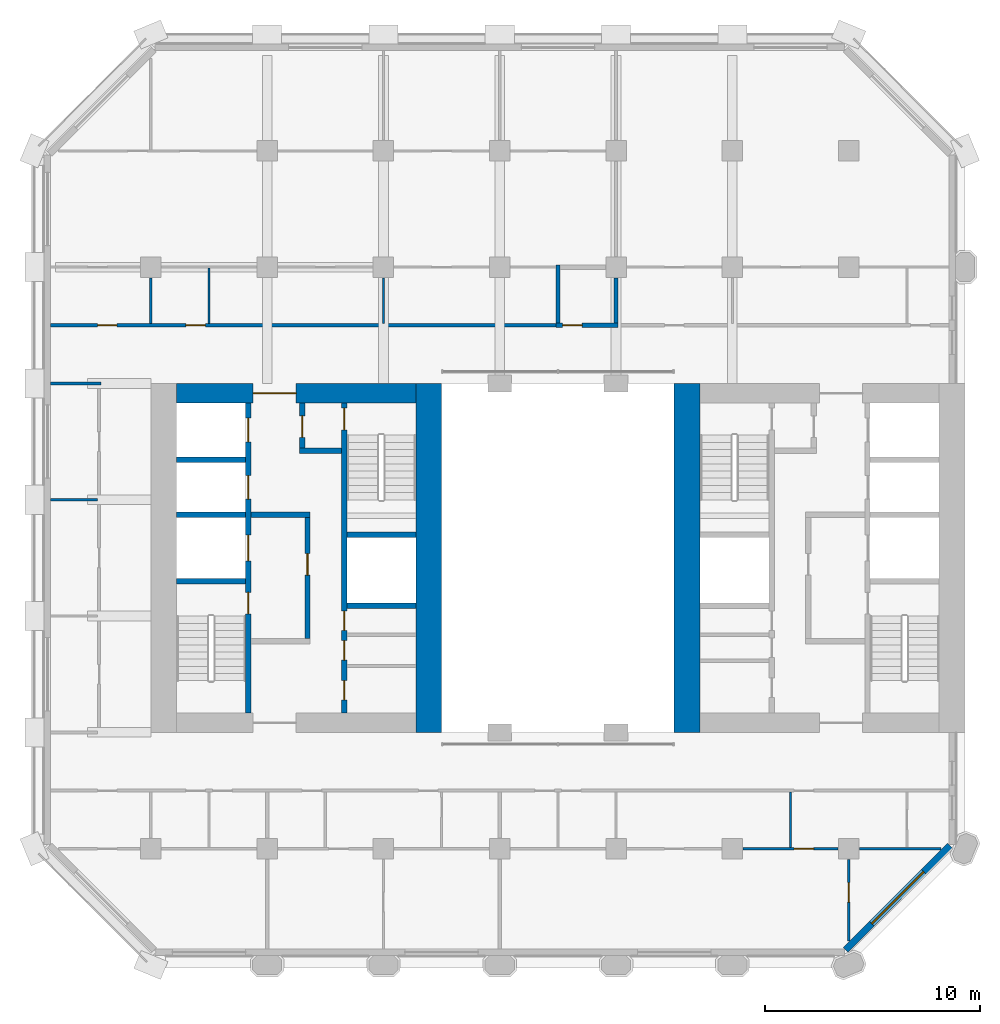
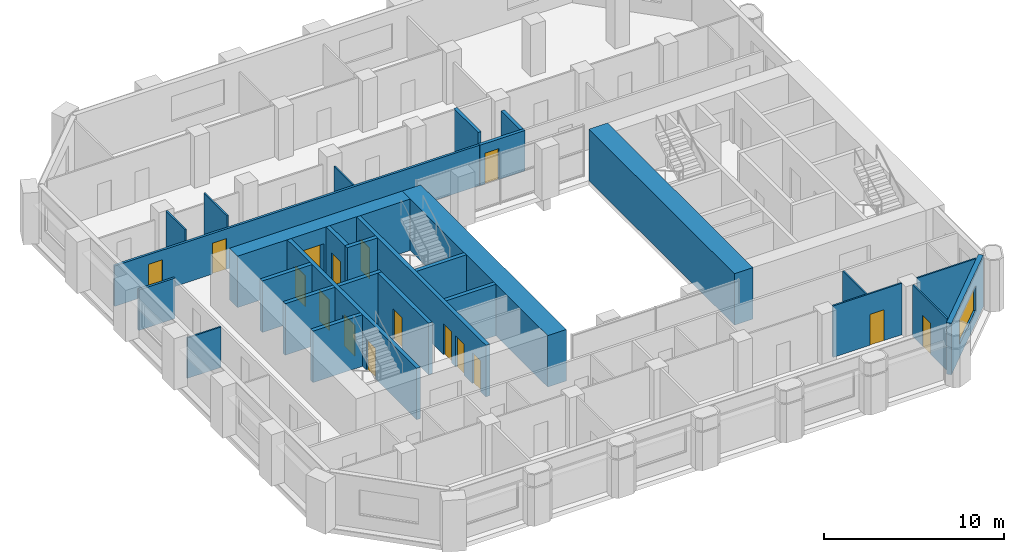
# One storey, part 7 of 13: 28 walls, 16 doors, 1 window, 17 openings.
"""IFC4 building model written with IfcOpenShell, lengths in metres."""

from ifc_helpers import new_model, si_unit, direction, frame, frame_2d, origin, place, context, subcontext, project, spatial, rectangle, extrude, material, layer, layer_set, type_object, element, fill, save


model = new_model("IFC4")

# Units and contexts
model_context = context("Model", 3, precision=1e-05, world=origin(), true_north=direction((0.0, 1.0)))
body_context = subcontext(model_context, "Body", "Model", "MODEL_VIEW")
ifc_project = project(units=[si_unit("LENGTHUNIT", "METRE"), si_unit("AREAUNIT", "SQUARE_METRE"), si_unit("VOLUMEUNIT", "CUBIC_METRE"), si_unit("PLANEANGLEUNIT", "RADIAN"), si_unit("MASSUNIT", "GRAM", prefix="KILO")], contexts=[model_context])

# Site, building, storey
site_placement = place(None, origin())
site = spatial("IfcSite", under=ifc_project, at=site_placement, CompositionType="ELEMENT")
building_placement = place(site_placement, origin())
building = spatial("IfcBuilding", under=site, at=building_placement, Name="Tabaq Tower and Sports Hall", CompositionType="ELEMENT")
storey_placement = place(building_placement, frame((0.0, 0.0, 110.60009765625)))
storey = spatial("IfcBuildingStorey", under=building, at=storey_placement, Name="L26", CompositionType="ELEMENT", Elevation=110.60009765625)

# Walls
ifc_material_1 = material(Name="Concrete C60/75", Category="concrete")
ifc_layer_1 = layer(ifc_material_1, 1.199951171875)
ifc_layer_set_1 = layer_set([ifc_layer_1], Name="Core wall 1200 Concrete C60/75")
wall_type_1 = type_object("IfcWallType", Name="Core wall 1200 Concrete C60/75", PredefinedType="SOLIDWALL", material=ifc_layer_set_1)
for number, where, z_axis, x_axis, name in (
    (1, (18.300048828125, 32.39990234375, 0.0), (0.0, 0.0, 1.0), (0.0, -1.0, 0.0), "Core wall W L26"),
    (2, (30.300048828125, 16.199951171875, 0.0), (0.0, 0.0, 1.0), (0.0, 1.0, 0.0), "Core wall E L26"),
):
    element("IfcWall", number, at=place(storey_placement, frame(where, z_axis=z_axis, x_axis=x_axis)), inside=storey, type_object=wall_type_1, Name=name, PredefinedType="SOLIDWALL", context=body_context, shape_type="SweptSolid", body=[
        extrude(rectangle(XDim=16.199951171875, YDim=1.199951171875, at=frame_2d((8.10009765625, 0.0))), origin(), (0.0, 0.0, 1.0), 3.5),
    ])

# Wall, opening, door
ifc_material_2 = material(Name="Concrete C60/75", Category="concrete")
ifc_layer_2 = layer(ifc_material_2, 0.89990234375)
ifc_layer_set_2 = layer_set([ifc_layer_2], Name="Core wall 900 Concrete C60/75")
wall_type_2 = type_object("IfcWallType", Name="Core wall 900 Concrete C60/75", PredefinedType="SOLIDWALL", material=ifc_layer_set_2)
wall_1_placement = place(storey_placement, frame((6.60009765625, 31.949951171875, 0.0), z_axis=(0.0, 0.0, 1.0), x_axis=(1.0, 0.0, 0.0)))
wall_1 = element("IfcWall", 3, at=wall_1_placement, inside=storey, type_object=wall_type_2, Name="Core wall W L26", PredefinedType="SOLIDWALL", context=body_context, shape_type="SweptSolid", body=[
    extrude(rectangle(XDim=11.099853515625, YDim=0.89990234375, at=frame_2d((5.5498046875, 0.0))), origin(), (0.0, 0.0, 1.0), 3.5),
])
opening_1_placement = place(wall_1_placement, frame((3.550048828125, 0.0, 0.0)))
opening_1 = element("IfcOpeningElement", 4, at=opening_1_placement, cuts=wall_1, Name="Opening PD-WL26-02", PredefinedType="OPENING", context=body_context, shape_type="SweptSolid", body=[
    extrude(rectangle(XDim=2.0, YDim=2.39990234375, at=frame_2d((1.0, 1.199951171875))), frame((0.0, 0.449951171875, 0.0), z_axis=(0.0, -1.0, 0.0), x_axis=(1.0, 0.0, 0.0)), (0.0, 0.0, 1.0), 0.89990234375),
])
ifc_material_3 = material(Name="Steel fire door", Category="steel")
door_type_1 = type_object("IfcDoorType", Name="Core entrance door 2000", OperationType="DOUBLE_DOOR_SINGLE_SWING", PredefinedType="DOOR", material=ifc_material_3)
door_1_placement = place(opening_1_placement, origin())
door_1 = element("IfcDoor", 5, at=door_1_placement, inside=storey, type_object=door_type_1, Name="Core entrance north W L26", OperationType="DOUBLE_DOOR_SINGLE_SWING", OverallHeight=2.39990234375, OverallWidth=2.0, PredefinedType="DOOR", context=body_context, shape_type="SweptSolid", body=[
    extrude(rectangle(XDim=2.0, YDim=2.39990234375, at=frame_2d((1.0, 1.199951171875))), frame((0.0, 0.02490234375, 0.0), z_axis=(0.0, -1.0, 0.0), x_axis=(1.0, 0.0, 0.0)), (0.0, 0.0, 1.0), 0.050048828125),
])
fill(opening_1, door_1)

ifc_material_4 = material(Name="Blockwork", Category="masonry")
ifc_layer_3 = layer(ifc_material_4, 0.199951171875)
ifc_layer_set_3 = layer_set([ifc_layer_3], Name="Fire compartment wall 200 Blockwork")
wall_type_3 = type_object("IfcWallType", Name="Fire compartment wall 200 Blockwork", PredefinedType="PARTITIONING", material=ifc_layer_set_3)
wall_2_placement = place(storey_placement, frame((27.10009765625, 35.10009765625, 0.0), z_axis=(0.0, 0.0, 1.0), x_axis=(-1.0, 0.0, 0.0)))
wall_2 = element("IfcWall", 6, at=wall_2_placement, inside=storey, type_object=wall_type_3, Name="Compartment wall L26", PredefinedType="PARTITIONING", context=body_context, shape_type="SweptSolid", body=[
    extrude(rectangle(XDim=2.900146484375, YDim=0.199951171875, at=frame_2d((1.4501953125, 0.0))), origin(), (0.0, 0.0, 1.0), 2.75),
])
opening_2_placement = place(wall_2_placement, frame((1.679931640625, 0.0, 0.0)))
opening_2 = element("IfcOpeningElement", 7, at=opening_2_placement, cuts=wall_2, Name="Opening L26-002", PredefinedType="OPENING", context=body_context, shape_type="SweptSolid", body=[
    extrude(rectangle(XDim=0.89990234375, YDim=2.10009765625, at=frame_2d((0.449951171875, 1.050048828125))), frame((0.0, 0.10009765625, 0.0), z_axis=(0.0, -1.0, 0.0), x_axis=(1.0, 0.0, 0.0)), (0.0, 0.0, 1.0), 0.199951171875),
])
ifc_material_5 = material(Name="Steel fire door", Category="steel")
door_type_2 = type_object("IfcDoorType", Name="Plant room door 900 right hand", OperationType="SINGLE_SWING_RIGHT", PredefinedType="DOOR", material=ifc_material_5)
door_2_placement = place(opening_2_placement, origin())
door_2 = element("IfcDoor", 8, at=door_2_placement, inside=storey, type_object=door_type_2, Name="Plant room door L26-002", OperationType="SINGLE_SWING_RIGHT", OverallHeight=2.10009765625, OverallWidth=0.89990234375, PredefinedType="DOOR", context=body_context, shape_type="SweptSolid", body=[
    extrude(rectangle(XDim=0.89990234375, YDim=2.10009765625, at=frame_2d((0.449951171875, 1.050048828125))), frame((0.0, 0.02490234375, 0.0), z_axis=(0.0, -1.0, 0.0), x_axis=(1.0, 0.0, 0.0)), (0.0, 0.0, 1.0), 0.050048828125),
])
fill(opening_2, door_2)

# Walls
wall_3_placement = place(storey_placement, frame((24.300048828125, 35.199951171875, 0.0), z_axis=(0.0, 0.0, 1.0), x_axis=(0.0, 1.0, 0.0)))
element("IfcWall", 9, at=wall_3_placement, inside=storey, type_object=wall_type_3, Name="Compartment wall L26", PredefinedType="PARTITIONING", context=body_context, shape_type="SweptSolid", body=[
    extrude(rectangle(XDim=2.699951171875, YDim=0.199951171875, at=frame_2d((1.35009765625, 0.0))), origin(), (0.0, 0.0, 1.0), 3.5),
])
wall_4_placement = place(storey_placement, frame((27.0, 35.199951171875, 0.0), z_axis=(0.0, 0.0, 1.0), x_axis=(0.0, 1.0, 0.0)))
element("IfcWall", 10, at=wall_4_placement, inside=storey, type_object=wall_type_3, Name="Compartment wall L26", PredefinedType="PARTITIONING", context=body_context, shape_type="SweptSolid", body=[
    extrude(rectangle(XDim=2.10498046875, YDim=0.199951171875, at=frame_2d((1.052490234375, 0.0))), origin(), (0.0, 0.0, 1.0), 2.75),
])
ifc_material_6 = material(Name="Gypsum board on steel studs", Category="steel")
ifc_layer_4 = layer(ifc_material_6, 0.10009765625)
ifc_layer_set_4 = layer_set([ifc_layer_4], Name="Partition 100 Gypsum board")
wall_type_4 = type_object("IfcWallType", Name="Partition 100 Gypsum board", PredefinedType="PARTITIONING", material=ifc_layer_set_4)
wall_5_placement = place(storey_placement, frame((5.39990234375, 35.175048828125, 0.0), z_axis=(0.0, 0.0, 1.0), x_axis=(0.0, 1.0, 0.0)))
element("IfcWall", 11, at=wall_5_placement, inside=storey, type_object=wall_type_4, Name="Partition wall L26", PredefinedType="PARTITIONING", context=body_context, shape_type="SweptSolid", body=[
    extrude(rectangle(XDim=2.1298828125, YDim=0.10009765625, at=frame_2d((1.06494140625, 0.0))), origin(), (0.0, 0.0, 1.0), 3.5),
])
wall_6_placement = place(storey_placement, frame((8.10009765625, 35.175048828125, 0.0), z_axis=(0.0, 0.0, 1.0), x_axis=(0.0, 1.0, 0.0)))
element("IfcWall", 12, at=wall_6_placement, inside=storey, type_object=wall_type_4, Name="Partition wall L26", PredefinedType="PARTITIONING", context=body_context, shape_type="SweptSolid", body=[
    extrude(rectangle(XDim=2.574951171875, YDim=0.10009765625, at=frame_2d((1.28759765625, 0.0))), origin(), (0.0, 0.0, 1.0), 3.5),
])
wall_7_placement = place(storey_placement, frame((16.199951171875, 35.175048828125, 0.0), z_axis=(0.0, 0.0, 1.0), x_axis=(0.0, 1.0, 0.0)))
element("IfcWall", 13, at=wall_7_placement, inside=storey, type_object=wall_type_4, Name="Partition wall L26", PredefinedType="PARTITIONING", context=body_context, shape_type="SweptSolid", body=[
    extrude(rectangle(XDim=2.1298828125, YDim=0.10009765625, at=frame_2d((1.06494140625, 0.0))), origin(), (0.0, 0.0, 1.0), 2.75),
])
wall_8_placement = place(storey_placement, frame((35.10009765625, 10.85009765625, 0.0), z_axis=(0.0, 0.0, 1.0), x_axis=(0.0, 1.0, 0.0)))
element("IfcWall", 14, at=wall_8_placement, inside=storey, type_object=wall_type_4, Name="Partition wall L26", PredefinedType="PARTITIONING", context=body_context, shape_type="SweptSolid", body=[
    extrude(rectangle(XDim=2.574951171875, YDim=0.10009765625, at=frame_2d((1.28759765625, 0.0))), origin(), (0.0, 0.0, 1.0), 3.5),
])

# Wall, opening, door
wall_9_placement = place(storey_placement, frame((32.89501953125, 10.800048828125, 0.0), z_axis=(0.0, 0.0, 1.0), x_axis=(1.0, 0.0, 0.0)))
wall_9 = element("IfcWall", 15, at=wall_9_placement, inside=storey, type_object=wall_type_4, Name="Partition wall L26", PredefinedType="PARTITIONING", context=body_context, shape_type="SweptSolid", body=[
    extrude(rectangle(XDim=4.409912109375, YDim=0.10009765625, at=frame_2d((2.205078125, 0.0))), origin(), (0.0, 0.0, 1.0), 3.5),
])
opening_3_placement = place(wall_9_placement, frame((2.375, 0.0, 0.0)))
opening_3 = element("IfcOpeningElement", 16, at=opening_3_placement, cuts=wall_9, Name="Opening L26-033", PredefinedType="OPENING", context=body_context, shape_type="SweptSolid", body=[
    extrude(rectangle(XDim=0.89990234375, YDim=2.10009765625, at=frame_2d((0.449951171875, 1.050048828125))), frame((0.0, 0.050048828125, 0.0), z_axis=(0.0, -1.0, 0.0), x_axis=(1.0, 0.0, 0.0)), (0.0, 0.0, 1.0), 0.10009765625),
])
ifc_material_7 = material(Name="Timber leaf in steel frame", Category="steel")
door_type_3 = type_object("IfcDoorType", Name="Internal door 900 left hand", OperationType="SINGLE_SWING_LEFT", PredefinedType="DOOR", material=ifc_material_7)
door_3_placement = place(opening_3_placement, origin())
door_3 = element("IfcDoor", 17, at=door_3_placement, inside=storey, type_object=door_type_3, Name="Internal door L26-033", OperationType="SINGLE_SWING_LEFT", OverallHeight=2.10009765625, OverallWidth=0.89990234375, PredefinedType="DOOR", context=body_context, shape_type="SweptSolid", body=[
    extrude(rectangle(XDim=0.89990234375, YDim=2.10009765625, at=frame_2d((0.449951171875, 1.050048828125))), frame((0.0, 0.02490234375, 0.0), z_axis=(0.0, -1.0, 0.0), x_axis=(1.0, 0.0, 0.0)), (0.0, 0.0, 1.0), 0.050048828125),
])
fill(opening_3, door_3)

# Wall
wall_10_placement = place(storey_placement, frame((38.294921875, 10.800048828125, 0.0), z_axis=(0.0, 0.0, 1.0), x_axis=(1.0, 0.0, 0.0)))
element("IfcWall", 18, at=wall_10_placement, inside=storey, type_object=wall_type_4, Name="Partition wall L26", PredefinedType="PARTITIONING", context=body_context, shape_type="SweptSolid", body=[
    extrude(rectangle(XDim=3.79296875, YDim=0.10009765625, at=frame_2d((1.896484375, 0.0))), origin(), (0.0, 0.0, 1.0), 3.5),
])

# Wall, opening, door
wall_11_placement = place(storey_placement, frame((37.800048828125, 6.51220703125, 0.0), z_axis=(0.0, 0.0, 1.0), x_axis=(0.0, 1.0, 0.0)))
wall_11 = element("IfcWall", 19, at=wall_11_placement, inside=storey, type_object=wall_type_4, Name="Partition wall L26", PredefinedType="PARTITIONING", context=body_context, shape_type="SweptSolid", body=[
    extrude(rectangle(XDim=3.792724609375, YDim=0.10009765625, at=frame_2d((1.896484375, 0.0))), origin(), (0.0, 0.0, 1.0), 3.5),
])
opening_4_placement = place(wall_11_placement, frame((1.81298828125, 0.0, 0.0)))
opening_4 = element("IfcOpeningElement", 20, at=opening_4_placement, cuts=wall_11, Name="Opening L26-024", PredefinedType="OPENING", context=body_context, shape_type="SweptSolid", body=[
    extrude(rectangle(XDim=0.89990234375, YDim=2.10009765625, at=frame_2d((0.449951171875, 1.050048828125))), frame((0.0, 0.050048828125, 0.0), z_axis=(0.0, -1.0, 0.0), x_axis=(1.0, 0.0, 0.0)), (0.0, 0.0, 1.0), 0.10009765625),
])
door_4_placement = place(opening_4_placement, origin())
door_4 = element("IfcDoor", 21, at=door_4_placement, inside=storey, type_object=door_type_3, Name="Internal door L26-024", OperationType="SINGLE_SWING_LEFT", OverallHeight=2.10009765625, OverallWidth=0.89990234375, PredefinedType="DOOR", context=body_context, shape_type="SweptSolid", body=[
    extrude(rectangle(XDim=0.89990234375, YDim=2.10009765625, at=frame_2d((0.449951171875, 1.050048828125))), frame((0.0, 0.02490234375, 0.0), z_axis=(0.0, -1.0, 0.0), x_axis=(1.0, 0.0, 0.0)), (0.0, 0.0, 1.0), 0.050048828125),
])
fill(opening_4, door_4)

# Wall
wall_12_placement = place(storey_placement, frame((2.925048828125, 27.0, 0.0), z_axis=(0.0, 0.0, 1.0), x_axis=(-1.0, 0.0, 0.0)))
element("IfcWall", 22, at=wall_12_placement, inside=storey, type_object=wall_type_4, Name="Partition wall L26", PredefinedType="PARTITIONING", context=body_context, shape_type="SweptSolid", body=[
    extrude(rectangle(XDim=2.174072265625, YDim=0.10009765625, at=frame_2d((1.0869140625, 0.0))), origin(), (0.0, 0.0, 1.0), 2.75),
])

# Wall, openings, doors
ifc_material_8 = material(Name="Blockwork", Category="masonry")
ifc_layer_5 = layer(ifc_material_8, 0.14990234375)
ifc_layer_set_5 = layer_set([ifc_layer_5], Name="Separating wall 150 Blockwork")
wall_type_5 = type_object("IfcWallType", Name="Separating wall 150 Blockwork", PredefinedType="PARTITIONING", material=ifc_layer_set_5)
wall_13_placement = place(storey_placement, frame((24.199951171875, 35.10009765625, 0.0), z_axis=(0.0, 0.0, 1.0), x_axis=(-1.0, 0.0, 0.0)))
wall_13 = element("IfcWall", 23, at=wall_13_placement, inside=storey, type_object=wall_type_5, Name="Separating wall L26", PredefinedType="PARTITIONING", context=body_context, shape_type="SweptSolid", body=[
    extrude(rectangle(XDim=23.448974609375, YDim=0.14990234375, at=frame_2d((11.724609375, 0.0))), origin(), (0.0, 0.0, 1.0), 2.75),
])
opening_5_placement = place(wall_13_placement, frame((16.27001953125, 0.0, 0.0)))
opening_5 = element("IfcOpeningElement", 24, at=opening_5_placement, cuts=wall_13, Name="Opening L26-001", PredefinedType="OPENING", context=body_context, shape_type="SweptSolid", body=[
    extrude(rectangle(XDim=0.89990234375, YDim=2.10009765625, at=frame_2d((0.449951171875, 1.050048828125))), frame((0.0, 0.074951171875, 0.0), z_axis=(0.0, -1.0, 0.0), x_axis=(1.0, 0.0, 0.0)), (0.0, 0.0, 1.0), 0.14990234375),
])
opening_6_placement = place(wall_13_placement, frame((20.375, 0.0, 0.0)))
opening_6 = element("IfcOpeningElement", 25, at=opening_6_placement, cuts=wall_13, Name="Opening L26-025", PredefinedType="OPENING", context=body_context, shape_type="SweptSolid", body=[
    extrude(rectangle(XDim=0.89990234375, YDim=2.10009765625, at=frame_2d((0.449951171875, 1.050048828125))), frame((0.0, 0.074951171875, 0.0), z_axis=(0.0, -1.0, 0.0), x_axis=(1.0, 0.0, 0.0)), (0.0, 0.0, 1.0), 0.14990234375),
])
ifc_material_9 = material(Name="Steel fire door", Category="steel")
door_type_4 = type_object("IfcDoorType", Name="Entrance door 900 left hand", OperationType="SINGLE_SWING_LEFT", PredefinedType="DOOR", material=ifc_material_9)
door_5_placement = place(opening_5_placement, origin())
door_5 = element("IfcDoor", 26, at=door_5_placement, inside=storey, type_object=door_type_4, Name="Entrance door L26-001", OperationType="SINGLE_SWING_LEFT", OverallHeight=2.10009765625, OverallWidth=0.89990234375, PredefinedType="DOOR", context=body_context, shape_type="SweptSolid", body=[
    extrude(rectangle(XDim=0.89990234375, YDim=2.10009765625, at=frame_2d((0.449951171875, 1.050048828125))), frame((0.0, 0.02490234375, 0.0), z_axis=(0.0, -1.0, 0.0), x_axis=(1.0, 0.0, 0.0)), (0.0, 0.0, 1.0), 0.050048828125),
])
fill(opening_5, door_5)
door_6_placement = place(opening_6_placement, origin())
door_6 = element("IfcDoor", 27, at=door_6_placement, inside=storey, type_object=door_type_4, Name="Entrance door L26-025", OperationType="SINGLE_SWING_LEFT", OverallHeight=2.10009765625, OverallWidth=0.89990234375, PredefinedType="DOOR", context=body_context, shape_type="SweptSolid", body=[
    extrude(rectangle(XDim=0.89990234375, YDim=2.10009765625, at=frame_2d((0.449951171875, 1.050048828125))), frame((0.0, 0.02490234375, 0.0), z_axis=(0.0, -1.0, 0.0), x_axis=(1.0, 0.0, 0.0)), (0.0, 0.0, 1.0), 0.050048828125),
])
fill(opening_6, door_6)

# Wall
wall_14_placement = place(storey_placement, frame((0.7509765625, 32.39990234375, 0.0), z_axis=(0.0, 0.0, 1.0), x_axis=(1.0, 0.0, 0.0)))
element("IfcWall", 28, at=wall_14_placement, inside=storey, type_object=wall_type_5, Name="Separating wall L26", PredefinedType="PARTITIONING", context=body_context, shape_type="SweptSolid", body=[
    extrude(rectangle(XDim=2.323974609375, YDim=0.14990234375, at=frame_2d((1.162109375, 0.0))), origin(), (0.0, 0.0, 1.0), 2.75),
])

# Wall, openings, doors
ifc_material_10 = material(Name="Concrete C40/50", Category="concrete")
ifc_layer_6 = layer(ifc_material_10, 0.25)
ifc_layer_set_6 = layer_set([ifc_layer_6], Name="Shaft and stair wall 250 Concrete C40/50")
wall_type_6 = type_object("IfcWallType", Name="Shaft and stair wall 250 Concrete C40/50", PredefinedType="SOLIDWALL", material=ifc_layer_set_6)
wall_15_placement = place(storey_placement, frame((9.925048828125, 17.10009765625, 0.0), z_axis=(0.0, 0.0, 1.0), x_axis=(0.0, 1.0, 0.0)))
wall_15 = element("IfcWall", 29, at=wall_15_placement, inside=storey, type_object=wall_type_6, Name="Shaft wall W L26", PredefinedType="SOLIDWALL", context=body_context, shape_type="SweptSolid", body=[
    extrude(rectangle(XDim=14.39990234375, YDim=0.25, at=frame_2d((7.199951171875, 0.0))), origin(), (0.0, 0.0, 1.0), 3.5),
])
opening_7_placement = place(wall_15_placement, frame((4.60009765625, 0.0, 0.0)))
opening_7 = element("IfcOpeningElement", 30, at=opening_7_placement, cuts=wall_15, Name="Opening SD-WL26-03", PredefinedType="OPENING", context=body_context, shape_type="SweptSolid", body=[
    extrude(rectangle(XDim=1.0, YDim=2.10009765625, at=frame_2d((0.5, 1.050048828125))), frame((0.0, 0.125, 0.0), z_axis=(0.0, -1.0, 0.0), x_axis=(1.0, 0.0, 0.0)), (0.0, 0.0, 1.0), 0.25),
])
opening_8_placement = place(wall_15_placement, frame((7.0625, 0.0, 0.0)))
opening_8 = element("IfcOpeningElement", 31, at=opening_8_placement, cuts=wall_15, Name="Opening LD-FF1-L26", PredefinedType="OPENING", context=body_context, shape_type="SweptSolid", body=[
    extrude(rectangle(XDim=1.199951171875, YDim=2.10009765625, at=frame_2d((0.60009765625, 1.050048828125))), frame((0.0, 0.125, 0.0), z_axis=(0.0, -1.0, 0.0), x_axis=(1.0, 0.0, 0.0)), (0.0, 0.0, 1.0), 0.25),
])
opening_9_placement = place(wall_15_placement, frame((9.925048828125, 0.0, 0.0)))
opening_9 = element("IfcOpeningElement", 32, at=opening_9_placement, cuts=wall_15, Name="Opening LD-LR1-L26", PredefinedType="OPENING", context=body_context, shape_type="SweptSolid", body=[
    extrude(rectangle(XDim=1.10009765625, YDim=2.10009765625, at=frame_2d((0.550048828125, 1.050048828125))), frame((0.0, 0.125, 0.0), z_axis=(0.0, -1.0, 0.0), x_axis=(1.0, 0.0, 0.0)), (0.0, 0.0, 1.0), 0.25),
])
opening_10_placement = place(wall_15_placement, frame((12.58740234375, 0.0, 0.0)))
opening_10 = element("IfcOpeningElement", 33, at=opening_10_placement, cuts=wall_15, Name="Opening LD-LR2-L26", PredefinedType="OPENING", context=body_context, shape_type="SweptSolid", body=[
    extrude(rectangle(XDim=1.10009765625, YDim=2.10009765625, at=frame_2d((0.550048828125, 1.050048828125))), frame((0.0, 0.125, 0.0), z_axis=(0.0, -1.0, 0.0), x_axis=(1.0, 0.0, 0.0)), (0.0, 0.0, 1.0), 0.25),
])
ifc_material_11 = material(Name="Stainless steel", Category="steel")
door_type_5 = type_object("IfcDoorType", Name="Lift landing door 1100", OperationType="DOUBLE_DOOR_SLIDING", PredefinedType="DOOR", material=ifc_material_11)
door_7_placement = place(opening_9_placement, origin())
door_7 = element("IfcDoor", 34, at=door_7_placement, inside=storey, type_object=door_type_5, Name="Lift landing door LR1 W L26", OperationType="DOUBLE_DOOR_SLIDING", OverallHeight=2.10009765625, OverallWidth=1.10009765625, PredefinedType="DOOR", context=body_context, shape_type="SweptSolid", body=[
    extrude(rectangle(XDim=1.10009765625, YDim=2.10009765625, at=frame_2d((0.550048828125, 1.050048828125))), frame((0.0, 0.02490234375, 0.0), z_axis=(0.0, -1.0, 0.0), x_axis=(1.0, 0.0, 0.0)), (0.0, 0.0, 1.0), 0.050048828125),
])
fill(opening_9, door_7)
door_8_placement = place(opening_10_placement, origin())
door_8 = element("IfcDoor", 35, at=door_8_placement, inside=storey, type_object=door_type_5, Name="Lift landing door LR2 W L26", OperationType="DOUBLE_DOOR_SLIDING", OverallHeight=2.10009765625, OverallWidth=1.10009765625, PredefinedType="DOOR", context=body_context, shape_type="SweptSolid", body=[
    extrude(rectangle(XDim=1.10009765625, YDim=2.10009765625, at=frame_2d((0.550048828125, 1.050048828125))), frame((0.0, 0.02490234375, 0.0), z_axis=(0.0, -1.0, 0.0), x_axis=(1.0, 0.0, 0.0)), (0.0, 0.0, 1.0), 0.050048828125),
])
fill(opening_10, door_8)
ifc_material_12 = material(Name="Stainless steel", Category="steel")
door_type_6 = type_object("IfcDoorType", Name="Lift landing door 1200", OperationType="DOUBLE_DOOR_SLIDING", PredefinedType="DOOR", material=ifc_material_12)
door_9_placement = place(opening_8_placement, origin())
door_9 = element("IfcDoor", 36, at=door_9_placement, inside=storey, type_object=door_type_6, Name="Lift landing door FF1 W L26", OperationType="DOUBLE_DOOR_SLIDING", OverallHeight=2.10009765625, OverallWidth=1.199951171875, PredefinedType="DOOR", context=body_context, shape_type="SweptSolid", body=[
    extrude(rectangle(XDim=1.199951171875, YDim=2.10009765625, at=frame_2d((0.60009765625, 1.050048828125))), frame((0.0, 0.02490234375, 0.0), z_axis=(0.0, -1.0, 0.0), x_axis=(1.0, 0.0, 0.0)), (0.0, 0.0, 1.0), 0.050048828125),
])
fill(opening_8, door_9)
ifc_material_13 = material(Name="Steel fire door", Category="steel")
door_type_7 = type_object("IfcDoorType", Name="Stair door 1000", OperationType="SINGLE_SWING_LEFT", PredefinedType="DOOR", material=ifc_material_13)
door_10_placement = place(opening_7_placement, origin())
door_10 = element("IfcDoor", 37, at=door_10_placement, inside=storey, type_object=door_type_7, Name="Stair door ST1 W L26", OperationType="SINGLE_SWING_LEFT", OverallHeight=2.10009765625, OverallWidth=1.0, PredefinedType="DOOR", context=body_context, shape_type="SweptSolid", body=[
    extrude(rectangle(XDim=1.0, YDim=2.10009765625, at=frame_2d((0.5, 1.050048828125))), frame((0.0, 0.02490234375, 0.0), z_axis=(0.0, -1.0, 0.0), x_axis=(1.0, 0.0, 0.0)), (0.0, 0.0, 1.0), 0.050048828125),
])
fill(opening_7, door_10)

wall_16_placement = place(storey_placement, frame((14.375, 17.10009765625, 0.0), z_axis=(0.0, 0.0, 1.0), x_axis=(0.0, 1.0, 0.0)))
wall_16 = element("IfcWall", 38, at=wall_16_placement, inside=storey, type_object=wall_type_6, Name="Shaft wall W L26", PredefinedType="SOLIDWALL", context=body_context, shape_type="SweptSolid", body=[
    extrude(rectangle(XDim=14.39990234375, YDim=0.25, at=frame_2d((7.199951171875, 0.0))), origin(), (0.0, 0.0, 1.0), 3.5),
])
opening_11_placement = place(wall_16_placement, frame((13.14990234375, 0.0, 0.0)))
opening_11 = element("IfcOpeningElement", 39, at=opening_11_placement, cuts=wall_16, Name="Opening SD-WL26-05", PredefinedType="OPENING", context=body_context, shape_type="SweptSolid", body=[
    extrude(rectangle(XDim=1.0, YDim=2.10009765625, at=frame_2d((0.5, 1.050048828125))), frame((0.0, 0.125, 0.0), z_axis=(0.0, -1.0, 0.0), x_axis=(1.0, 0.0, 0.0)), (0.0, 0.0, 1.0), 0.25),
])
opening_12_placement = place(wall_16_placement, frame((0.60400390625, 0.0, 0.0)))
opening_12 = element("IfcOpeningElement", 40, at=opening_12_placement, cuts=wall_16, Name="Opening RD-WL26-10", PredefinedType="OPENING", context=body_context, shape_type="SweptSolid", body=[
    extrude(rectangle(XDim=0.89990234375, YDim=2.10009765625, at=frame_2d((0.449951171875, 1.050048828125))), frame((0.0, 0.125, 0.0), z_axis=(0.0, -1.0, 0.0), x_axis=(1.0, 0.0, 0.0)), (0.0, 0.0, 1.0), 0.25),
])
opening_13_placement = place(wall_16_placement, frame((2.46044921875, 0.0, 0.0)))
opening_13 = element("IfcOpeningElement", 41, at=opening_13_placement, cuts=wall_16, Name="Opening RD-WL26-11", PredefinedType="OPENING", context=body_context, shape_type="SweptSolid", body=[
    extrude(rectangle(XDim=0.89990234375, YDim=2.10009765625, at=frame_2d((0.449951171875, 1.050048828125))), frame((0.0, 0.125, 0.0), z_axis=(0.0, -1.0, 0.0), x_axis=(1.0, 0.0, 0.0)), (0.0, 0.0, 1.0), 0.25),
])
opening_14_placement = place(wall_16_placement, frame((3.83154296875, 0.0, 0.0)))
opening_14 = element("IfcOpeningElement", 42, at=opening_14_placement, cuts=wall_16, Name="Opening RD-WL26-12", PredefinedType="OPENING", context=body_context, shape_type="SweptSolid", body=[
    extrude(rectangle(XDim=0.89990234375, YDim=2.10009765625, at=frame_2d((0.449951171875, 1.050048828125))), frame((0.0, 0.125, 0.0), z_axis=(0.0, -1.0, 0.0), x_axis=(1.0, 0.0, 0.0)), (0.0, 0.0, 1.0), 0.25),
])
ifc_material_14 = material(Name="Steel fire door", Category="steel")
door_type_8 = type_object("IfcDoorType", Name="Core room door 900", OperationType="SINGLE_SWING_LEFT", PredefinedType="DOOR", material=ifc_material_14)
door_11_placement = place(opening_12_placement, origin())
door_11 = element("IfcDoor", 43, at=door_11_placement, inside=storey, type_object=door_type_8, Name="Door Unisex WC W L26", OperationType="SINGLE_SWING_LEFT", OverallHeight=2.10009765625, OverallWidth=0.89990234375, PredefinedType="DOOR", context=body_context, shape_type="SweptSolid", body=[
    extrude(rectangle(XDim=0.89990234375, YDim=2.10009765625, at=frame_2d((0.449951171875, 1.050048828125))), frame((0.0, 0.02490234375, 0.0), z_axis=(0.0, -1.0, 0.0), x_axis=(1.0, 0.0, 0.0)), (0.0, 0.0, 1.0), 0.050048828125),
])
fill(opening_12, door_11)
door_12_placement = place(opening_13_placement, origin())
door_12 = element("IfcDoor", 44, at=door_12_placement, inside=storey, type_object=door_type_8, Name="Door Accessible WC W L26", OperationType="SINGLE_SWING_LEFT", OverallHeight=2.10009765625, OverallWidth=0.89990234375, PredefinedType="DOOR", context=body_context, shape_type="SweptSolid", body=[
    extrude(rectangle(XDim=0.89990234375, YDim=2.10009765625, at=frame_2d((0.449951171875, 1.050048828125))), frame((0.0, 0.02490234375, 0.0), z_axis=(0.0, -1.0, 0.0), x_axis=(1.0, 0.0, 0.0)), (0.0, 0.0, 1.0), 0.050048828125),
])
fill(opening_13, door_12)
door_13_placement = place(opening_14_placement, origin())
door_13 = element("IfcDoor", 45, at=door_13_placement, inside=storey, type_object=door_type_8, Name="Door Electrical Riser Room W L26", OperationType="SINGLE_SWING_LEFT", OverallHeight=2.10009765625, OverallWidth=0.89990234375, PredefinedType="DOOR", context=body_context, shape_type="SweptSolid", body=[
    extrude(rectangle(XDim=0.89990234375, YDim=2.10009765625, at=frame_2d((0.449951171875, 1.050048828125))), frame((0.0, 0.02490234375, 0.0), z_axis=(0.0, -1.0, 0.0), x_axis=(1.0, 0.0, 0.0)), (0.0, 0.0, 1.0), 0.050048828125),
])
fill(opening_14, door_13)
door_14_placement = place(opening_11_placement, origin())
door_14 = element("IfcDoor", 46, at=door_14_placement, inside=storey, type_object=door_type_7, Name="Stair door ST2 W L26", OperationType="SINGLE_SWING_LEFT", OverallHeight=2.10009765625, OverallWidth=1.0, PredefinedType="DOOR", context=body_context, shape_type="SweptSolid", body=[
    extrude(rectangle(XDim=1.0, YDim=2.10009765625, at=frame_2d((0.5, 1.050048828125))), frame((0.0, 0.02490234375, 0.0), z_axis=(0.0, -1.0, 0.0), x_axis=(1.0, 0.0, 0.0)), (0.0, 0.0, 1.0), 0.050048828125),
])
fill(opening_11, door_14)

# Walls
for number, where, z_axis, x_axis, name in (
    (47, (6.60009765625, 23.22509765625, 0.0), (0.0, 0.0, 1.0), (1.0, 0.0, 0.0), "Stair enclosure wall W L26"),
    (48, (14.5, 25.375, 0.0), (0.0, 0.0, 1.0), (1.0, 0.0, 0.0), "Stair enclosure wall W L26"),
    (49, (14.5, 22.074951171875, 0.0), (0.0, 0.0, 1.0), (1.0, 0.0, 0.0), "Shaft wall W L26"),
    (50, (6.60009765625, 26.300048828125, 0.0), (0.0, 0.0, 1.0), (1.0, 0.0, 0.0), "Shaft wall W L26"),
):
    element("IfcWall", number, at=place(storey_placement, frame(where, z_axis=z_axis, x_axis=x_axis)), inside=storey, type_object=wall_type_6, Name=name, PredefinedType="SOLIDWALL", context=body_context, shape_type="SweptSolid", body=[
        extrude(rectangle(XDim=3.199951171875, YDim=0.25, at=frame_2d((1.60009765625, 0.0))), origin(), (0.0, 0.0, 1.0), 3.5),
    ])
wall_17_placement = place(storey_placement, frame((10.050048828125, 26.300048828125, 0.0), z_axis=(0.0, 0.0, 1.0), x_axis=(1.0, 0.0, 0.0)))
element("IfcWall", 51, at=wall_17_placement, inside=storey, type_object=wall_type_6, Name="Fire-fighting lobby wall W L26", PredefinedType="SOLIDWALL", context=body_context, shape_type="SweptSolid", body=[
    extrude(rectangle(XDim=2.75, YDim=0.25, at=frame_2d((1.375, 0.0))), origin(), (0.0, 0.0, 1.0), 3.5),
])

# Wall, opening, door
wall_18_placement = place(storey_placement, frame((12.425048828125, 29.39990234375, 0.0), z_axis=(0.0, 0.0, 1.0), x_axis=(0.0, 1.0, 0.0)))
wall_18 = element("IfcWall", 52, at=wall_18_placement, inside=storey, type_object=wall_type_6, Name="Fire-fighting lobby wall W L26", PredefinedType="SOLIDWALL", context=body_context, shape_type="SweptSolid", body=[
    extrude(rectangle(XDim=2.10009765625, YDim=0.25, at=frame_2d((1.050048828125, 0.0))), origin(), (0.0, 0.0, 1.0), 3.5),
])
opening_15_placement = place(wall_18_placement, frame((0.5, 0.0, 0.0)))
opening_15 = element("IfcOpeningElement", 53, at=opening_15_placement, cuts=wall_18, Name="Opening FD-WL26-06", PredefinedType="OPENING", context=body_context, shape_type="SweptSolid", body=[
    extrude(rectangle(XDim=1.0, YDim=2.10009765625, at=frame_2d((0.5, 1.050048828125))), frame((0.0, 0.125, 0.0), z_axis=(0.0, -1.0, 0.0), x_axis=(1.0, 0.0, 0.0)), (0.0, 0.0, 1.0), 0.25),
])
ifc_material_15 = material(Name="Steel fire door", Category="steel")
door_type_9 = type_object("IfcDoorType", Name="Fire-fighting lobby door 1000", OperationType="SINGLE_SWING_LEFT", PredefinedType="DOOR", material=ifc_material_15)
door_15_placement = place(opening_15_placement, origin())
door_15 = element("IfcDoor", 54, at=door_15_placement, inside=storey, type_object=door_type_9, Name="Stair lobby door W L26", OperationType="SINGLE_SWING_LEFT", OverallHeight=2.10009765625, OverallWidth=1.0, PredefinedType="DOOR", context=body_context, shape_type="SweptSolid", body=[
    extrude(rectangle(XDim=1.0, YDim=2.10009765625, at=frame_2d((0.5, 1.050048828125))), frame((0.0, 0.02490234375, 0.0), z_axis=(0.0, -1.0, 0.0), x_axis=(1.0, 0.0, 0.0)), (0.0, 0.0, 1.0), 0.050048828125),
])
fill(opening_15, door_15)

# Wall
wall_19_placement = place(storey_placement, frame((12.300048828125, 29.27490234375, 0.0), z_axis=(0.0, 0.0, 1.0), x_axis=(1.0, 0.0, 0.0)))
element("IfcWall", 55, at=wall_19_placement, inside=storey, type_object=wall_type_6, Name="Fire-fighting lobby wall W L26", PredefinedType="SOLIDWALL", context=body_context, shape_type="SweptSolid", body=[
    extrude(rectangle(XDim=1.949951171875, YDim=0.25, at=frame_2d((0.97509765625, 0.0))), origin(), (0.0, 0.0, 1.0), 3.5),
])

# Wall, opening, door
wall_20_placement = place(storey_placement, frame((12.675048828125, 20.550048828125, 0.0), z_axis=(0.0, 0.0, 1.0), x_axis=(0.0, 1.0, 0.0)))
wall_20 = element("IfcWall", 56, at=wall_20_placement, inside=storey, type_object=wall_type_6, Name="Fire-fighting lobby wall W L26", PredefinedType="SOLIDWALL", context=body_context, shape_type="SweptSolid", body=[
    extrude(rectangle(XDim=5.625, YDim=0.25, at=frame_2d((2.8125, 0.0))), origin(), (0.0, 0.0, 1.0), 3.5),
])
opening_16_placement = place(wall_20_placement, frame((2.949951171875, 0.0, 0.0)))
opening_16 = element("IfcOpeningElement", 57, at=opening_16_placement, cuts=wall_20, Name="Opening FD-WL26-04", PredefinedType="OPENING", context=body_context, shape_type="SweptSolid", body=[
    extrude(rectangle(XDim=1.0, YDim=2.10009765625, at=frame_2d((0.5, 1.050048828125))), frame((0.0, 0.125, 0.0), z_axis=(0.0, -1.0, 0.0), x_axis=(1.0, 0.0, 0.0)), (0.0, 0.0, 1.0), 0.25),
])
door_16_placement = place(opening_16_placement, origin())
door_16 = element("IfcDoor", 58, at=door_16_placement, inside=storey, type_object=door_type_9, Name="Fire-fighting lobby door W L26", OperationType="SINGLE_SWING_LEFT", OverallHeight=2.10009765625, OverallWidth=1.0, PredefinedType="DOOR", context=body_context, shape_type="SweptSolid", body=[
    extrude(rectangle(XDim=1.0, YDim=2.10009765625, at=frame_2d((0.5, 1.050048828125))), frame((0.0, 0.02490234375, 0.0), z_axis=(0.0, -1.0, 0.0), x_axis=(1.0, 0.0, 0.0)), (0.0, 0.0, 1.0), 0.050048828125),
])
fill(opening_16, door_16)

# Wall
wall_21_placement = place(storey_placement, frame((6.60009765625, 28.85009765625, 0.0), z_axis=(0.0, 0.0, 1.0), x_axis=(1.0, 0.0, 0.0)))
element("IfcWall", 59, at=wall_21_placement, inside=storey, type_object=wall_type_6, Name="Shaft wall W L26", PredefinedType="SOLIDWALL", context=body_context, shape_type="SweptSolid", body=[
    extrude(rectangle(XDim=3.199951171875, YDim=0.25, at=frame_2d((1.60009765625, 0.0))), origin(), (0.0, 0.0, 1.0), 3.5),
])

# Wall, opening, window
ifc_material_16 = material(Name="White precast concrete C60/75", Category="concrete")
ifc_layer_7 = layer(ifc_material_16, 0.300048828125)
ifc_layer_set_7 = layer_set([ifc_layer_7], Name="White precast concrete C60/75 external wall 300")
wall_type_7 = type_object("IfcWallType", Name="White precast concrete C60/75 external wall 300", PredefinedType="SOLIDWALL", material=ifc_layer_set_7)
wall_22_placement = place(storey_placement, frame((37.650390625, 6.098876953125, 0.0), z_axis=(0.0, 0.0, 1.0), x_axis=(0.707106781187, 0.707106781187, 0.0)))
wall_22 = element("IfcWall", 60, at=wall_22_placement, inside=storey, type_object=wall_type_7, Name="External Wall L26 SE", PredefinedType="SOLIDWALL", context=body_context, shape_type="SweptSolid", body=[
    extrude(rectangle(XDim=6.85986328125, YDim=0.300048828125, at=frame_2d((3.429931640625, 0.0))), origin(), (0.0, 0.0, 1.0), 3.5),
])
opening_17_placement = place(wall_22_placement, frame((1.729736328125, 0.0, 0.89990234375)))
opening_17 = element("IfcOpeningElement", 61, at=opening_17_placement, cuts=wall_22, Name="Opening W1A", PredefinedType="OPENING", context=body_context, shape_type="SweptSolid", body=[
    extrude(rectangle(XDim=3.39990234375, YDim=1.699951171875, at=frame_2d((1.699951171875, 0.85009765625))), frame((0.0, 0.16015625, 0.0), z_axis=(0.0, -1.0, 0.0), x_axis=(1.0, 0.0, 0.0)), (0.0, 0.0, 1.0), 0.320068359375),
])
ifc_material_17 = material(Name="Aluminium framed clear glazing", Category="aluminium")
window_type = type_object("IfcWindowType", Name="Window W1A", PartitioningType="SINGLE_PANEL", PredefinedType="WINDOW", material=ifc_material_17)
window_placement = place(opening_17_placement, origin())
window = element("IfcWindow", 62, at=window_placement, inside=storey, type_object=window_type, Name="Window W1A L26", OverallHeight=1.699951171875, OverallWidth=3.39990234375, PartitioningType="SINGLE_PANEL", PredefinedType="WINDOW", context=body_context, shape_type="SweptSolid", body=[
    extrude(rectangle(XDim=3.39990234375, YDim=1.699951171875, at=frame_2d((1.699951171875, 0.85009765625))), frame((0.0, 0.030029296875, 0.0), z_axis=(0.0, -1.0, 0.0), x_axis=(1.0, 0.0, 0.0)), (0.0, 0.0, 1.0), 0.06005859375),
])
fill(opening_17, window)

save(model, "model.ifc")
